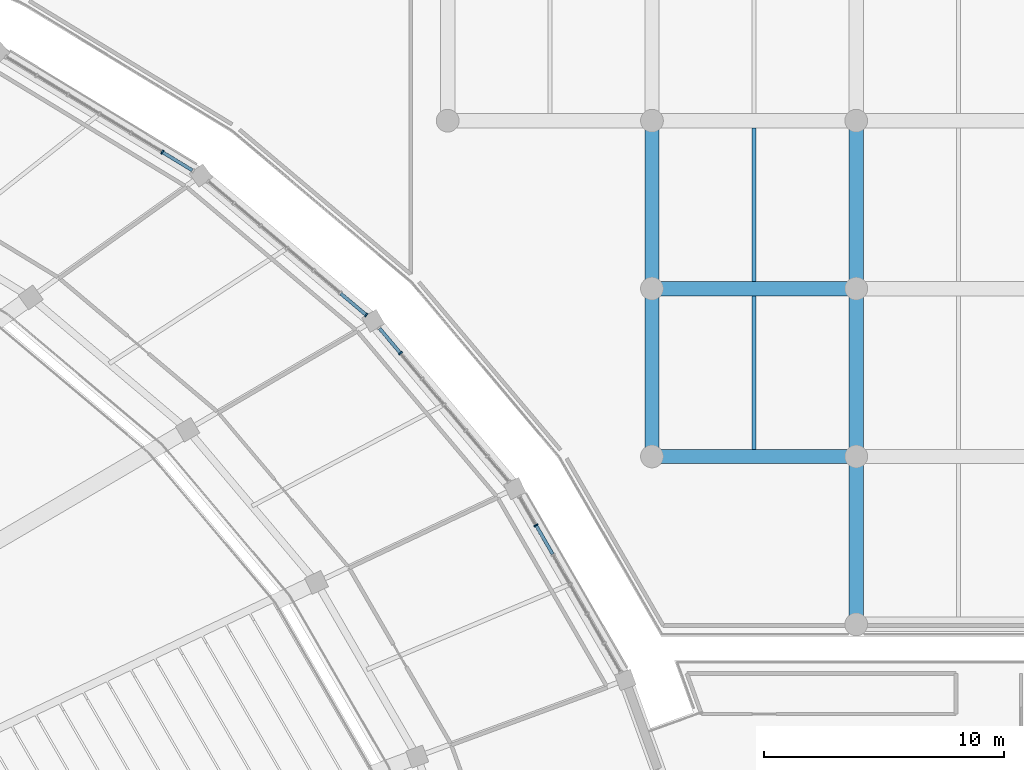
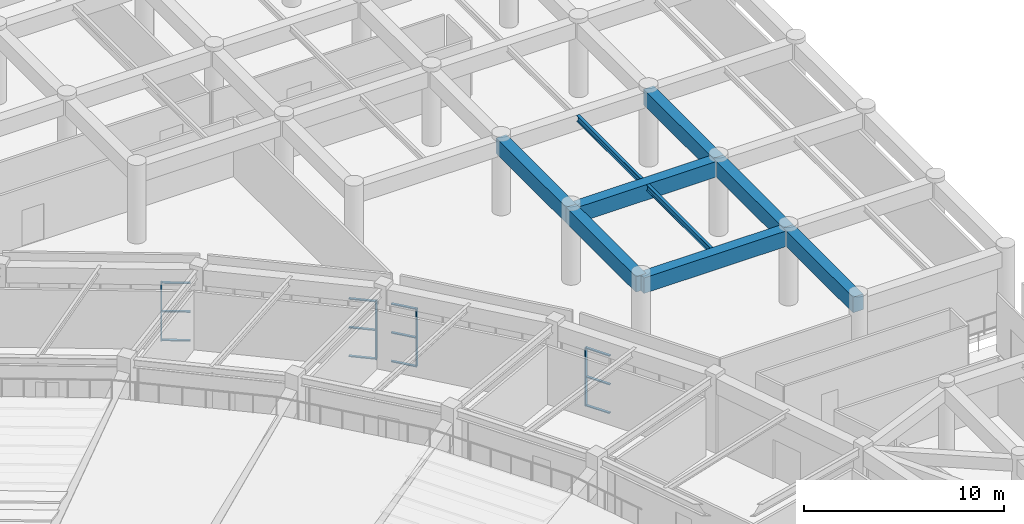
# One storey, part 72 of 137: 16 members, 9 beams, 4 elements without a shape of their own.
"""IFC4 building model written with IfcOpenShell, lengths in metres."""

from ifc_helpers import new_model, si_unit, direction, frame, origin, origin_2d, place, context, subcontext, project, spatial, rectangle, i_section, extrude, material, layer, layer_set, material_profile, profile_set, type_object, element, aggregate, save


model = new_model("IFC4")

# Units and contexts
model_context = context("Model", 3, precision=1e-05, world=origin(), true_north=direction((0.0, 1.0)))
body_context = subcontext(model_context, "Body", "Model", "MODEL_VIEW")
ifc_project = project(units=[si_unit("LENGTHUNIT", "METRE"), si_unit("AREAUNIT", "SQUARE_METRE"), si_unit("VOLUMEUNIT", "CUBIC_METRE"), si_unit("PLANEANGLEUNIT", "RADIAN"), si_unit("MASSUNIT", "GRAM", prefix="KILO")], contexts=[model_context])

# Site, building, storey
site_placement = place(None, origin())
site = spatial("IfcSite", under=ifc_project, at=site_placement, CompositionType="ELEMENT")
building_placement = place(site_placement, origin())
building = spatial("IfcBuilding", under=site, at=building_placement, Name="Mphavela Belvedere Stadium", CompositionType="ELEMENT")
storey_placement = place(building_placement, frame((0.0, 0.0, 19.199951171875)))
storey = spatial("IfcBuildingStorey", under=building, at=storey_placement, Name="L04", CompositionType="ELEMENT", Elevation=19.199951171875)

# Beams
ifc_material_1 = material(Name="Concrete C40/50", Category="concrete")
ifc_material_profile_1 = material_profile(ifc_material_1, rectangle(XDim=0.60009765625, YDim=0.949951171875, at=origin_2d()), Name="RC 600x950")
ifc_profile_set_1 = profile_set([ifc_material_profile_1], Name="Concrete C40/50")
beam_type_1 = type_object("IfcBeamType", Name="BM-ENTABLATURE-950", PredefinedType="SPANDREL", material=ifc_profile_set_1)
beam_1_placement = place(storey_placement, frame((212.962890625, 132.0, 4.06494140625), z_axis=(1.0, 0.0, 0.0), x_axis=(0.0, 1.0, 0.0)))
element("IfcBeam", 1, at=beam_1_placement, inside=storey, type_object=beam_type_1, Name="North Mast and Ceremonial End Forecourt entablature beam X L04 26-2", PredefinedType="SPANDREL", context=body_context, shape_type="SweptSolid", body=[
    extrude(rectangle(XDim=0.60009765625, YDim=0.949951171875, at=origin_2d()), origin(), (0.0, 0.0, 1.0), 8.51806640625),
])
beam_2_placement = place(storey_placement, frame((212.962890625, 132.0, 4.06494140625), z_axis=(0.0, 1.0, 0.0), x_axis=(-1.0, 0.0, 0.0)))
element("IfcBeam", 2, at=beam_2_placement, inside=storey, type_object=beam_type_1, Name="North Mast and Ceremonial End Forecourt entablature beam Y L04 26-2", PredefinedType="SPANDREL", context=body_context, shape_type="SweptSolid", body=[
    extrude(rectangle(XDim=0.60009765625, YDim=0.949951171875, at=origin_2d()), origin(), (0.0, 0.0, 1.0), 7.0),
])
beam_3_placement = place(storey_placement, frame((212.962890625, 139.0, 4.06494140625), z_axis=(1.0, 0.0, 0.0), x_axis=(0.0, 1.0, 0.0)))
element("IfcBeam", 3, at=beam_3_placement, inside=storey, type_object=beam_type_1, Name="North Mast and Ceremonial End Forecourt entablature beam X L04 26-3", PredefinedType="SPANDREL", context=body_context, shape_type="SweptSolid", body=[
    extrude(rectangle(XDim=0.60009765625, YDim=0.949951171875, at=origin_2d()), origin(), (0.0, 0.0, 1.0), 8.51806640625),
])
for number, where, z_axis, x_axis, name in (
    (4, (212.962890625, 139.0, 4.06494140625), (0.0, 1.0, 0.0), (-1.0, 0.0, 0.0), "North Mast and Ceremonial End Forecourt entablature beam Y L04 26-3"),
    (5, (221.48095703125, 125.0, 4.06494140625), (0.0, 1.0, 0.0), (-1.0, 0.0, 0.0), "North Mast and Ceremonial End Forecourt entablature beam Y L04 27-1"),
    (6, (221.48095703125, 132.0, 4.06494140625), (0.0, 1.0, 0.0), (-1.0, 0.0, 0.0), "North Mast and Ceremonial End Forecourt entablature beam Y L04 27-2"),
    (7, (221.48095703125, 139.0, 4.06494140625), (0.0, 1.0, 0.0), (-1.0, 0.0, 0.0), "North Mast and Ceremonial End Forecourt entablature beam Y L04 27-3"),
):
    element("IfcBeam", number, at=place(storey_placement, frame(where, z_axis=z_axis, x_axis=x_axis)), inside=storey, type_object=beam_type_1, Name=name, PredefinedType="SPANDREL", context=body_context, shape_type="SweptSolid", body=[
        extrude(rectangle(XDim=0.60009765625, YDim=0.949951171875, at=origin_2d()), origin(), (0.0, 0.0, 1.0), 7.0),
    ])
ifc_material_2 = material(Name="Steel S355", Category="steel")
ifc_material_profile_2 = material_profile(ifc_material_2, i_section(OverallWidth=0.169921875, OverallDepth=0.360107421875, WebThickness=0.008056640625, FlangeThickness=0.0126953125, at=origin_2d()), Name="IPE 360")
ifc_profile_set_2 = profile_set([ifc_material_profile_2], Name="Steel S355")
beam_type_2 = type_object("IfcBeamType", Name="BM-JOIST-IPE360", PredefinedType="JOIST", material=ifc_profile_set_2)
for number, where, z_axis, x_axis, name in (
    (8, (217.221923828125, 132.300048828125, 4.360107421875), (0.0, 1.0, 0.0), (-1.0, 0.0, 0.0), "North Mast and Ceremonial End Forecourt secondary joist L04 26-2"),
    (9, (217.221923828125, 139.300048828125, 4.360107421875), (0.0, 1.0, 0.0), (-1.0, 0.0, 0.0), "North Mast and Ceremonial End Forecourt secondary joist L04 26-3"),
):
    element("IfcBeam", number, at=place(storey_placement, frame(where, z_axis=z_axis, x_axis=x_axis)), inside=storey, type_object=beam_type_2, Name=name, PredefinedType="JOIST", context=body_context, shape_type="SweptSolid", body=[
        extrude(i_section(OverallWidth=0.169921875, OverallDepth=0.360107421875, WebThickness=0.008056640625, FlangeThickness=0.0126953125, at=origin_2d()), origin(), (0.0, 0.0, 1.0), 6.39990234375),
    ])

# Curtain wall, member
ifc_material_3 = material(Name="Anodised bronze unitised curtain wall framing")
ifc_layer_1 = layer(ifc_material_3, 0.179931640625)
ifc_layer_set_1 = layer_set([ifc_layer_1], Name="Anodised bronze unitised curtain wall framing")
curtain_wall_type_1 = type_object("IfcCurtainWallType", Name="CW-UNIT-01", PredefinedType="USERDEFINED", material=ifc_layer_set_1)
curtain_wall_1_placement = place(storey_placement, origin())
curtain_wall_1 = element("IfcCurtainWall", 10, at=curtain_wall_1_placement, inside=storey, type_object=curtain_wall_type_1, Name="Belvedere colonnade curtain wall L04-04", ObjectType="UNITISED CURTAIN WALL", PredefinedType="USERDEFINED")
ifc_material_4 = material(Name="Anodised bronze extruded aluminium", Category="aluminium")
ifc_material_profile_3 = material_profile(ifc_material_4, rectangle(XDim=0.179931640625, YDim=0.06494140625, at=origin_2d()), Name="CW-MUL 180x65")
ifc_profile_set_3 = profile_set([ifc_material_profile_3], Name="Anodised bronze extruded aluminium")
member_type_1 = type_object("IfcMemberType", Name="CWM-180x65", PredefinedType="MULLION", material=ifc_profile_set_3)
member_1_placement = place(storey_placement, frame((208.127685546875, 129.130859375, 0.0), z_axis=(0.0, 0.0, 1.0), x_axis=(-0.865704159606, -0.500555998906, 0.0)))
member_1 = element("IfcMember", 11, at=member_1_placement, type_object=member_type_1, Name="CW-01 mullion 6", PredefinedType="MULLION", context=body_context, shape_type="SweptSolid", body=[
    extrude(rectangle(XDim=0.179931640625, YDim=0.06494140625, at=origin_2d()), origin(), (0.0, 0.0, 1.0), 3.570068359375),
])

ifc_material_5 = material(Name="Anodised bronze unitised curtain wall framing")
ifc_layer_2 = layer(ifc_material_5, 0.18505859375)
ifc_layer_set_2 = layer_set([ifc_layer_2], Name="Anodised bronze unitised curtain wall framing")
curtain_wall_type_2 = type_object("IfcCurtainWallType", Name="CW-UNIT-02", PredefinedType="USERDEFINED", material=ifc_layer_set_2)
curtain_wall_2_placement = place(storey_placement, origin())
curtain_wall_2 = element("IfcCurtainWall", 12, at=curtain_wall_2_placement, inside=storey, type_object=curtain_wall_type_2, Name="Belvedere colonnade curtain wall L04-05", ObjectType="UNITISED CURTAIN WALL", PredefinedType="USERDEFINED")
member_2_placement = place(storey_placement, frame((202.471923828125, 136.310791015625, 0.0), z_axis=(0.0, 0.0, 1.0), x_axis=(-0.764034579723, -0.645175294774, 0.0)))
member_2 = element("IfcMember", 13, at=member_2_placement, type_object=member_type_1, Name="CW-02 mullion 6", PredefinedType="MULLION", context=body_context, shape_type="SweptSolid", body=[
    extrude(rectangle(XDim=0.179931640625, YDim=0.06494140625, at=origin_2d()), origin(), (0.0, 0.0, 1.0), 3.570068359375),
])

ifc_material_6 = material(Name="Anodised bronze unitised curtain wall framing")
ifc_layer_3 = layer(ifc_material_6, 0.18994140625)
ifc_layer_set_3 = layer_set([ifc_layer_3], Name="Anodised bronze unitised curtain wall framing")
curtain_wall_type_3 = type_object("IfcCurtainWallType", Name="CW-UNIT-03", PredefinedType="USERDEFINED", material=ifc_layer_set_3)
curtain_wall_3_placement = place(storey_placement, origin())
curtain_wall_3 = element("IfcCurtainWall", 14, at=curtain_wall_3_placement, inside=storey, type_object=curtain_wall_type_3, Name="Belvedere colonnade curtain wall L04-06", ObjectType="UNITISED CURTAIN WALL", PredefinedType="USERDEFINED")
member_3_placement = place(storey_placement, frame((201.04736328125, 137.89892578125, 0.0), z_axis=(0.0, 0.0, 1.0), x_axis=(-0.644916038089, -0.764253429051, 0.0)))
member_3 = element("IfcMember", 15, at=member_3_placement, type_object=member_type_1, Name="CW-03 mullion 1", PredefinedType="MULLION", context=body_context, shape_type="SweptSolid", body=[
    extrude(rectangle(XDim=0.179931640625, YDim=0.06494140625, at=origin_2d()), origin(), (0.0, 0.0, 1.0), 3.570068359375),
])

ifc_material_7 = material(Name="Anodised bronze unitised curtain wall framing")
ifc_layer_4 = layer(ifc_material_7, 0.195068359375)
ifc_layer_set_4 = layer_set([ifc_layer_4], Name="Anodised bronze unitised curtain wall framing")
curtain_wall_type_4 = type_object("IfcCurtainWallType", Name="CW-UNIT-04", PredefinedType="USERDEFINED", material=ifc_layer_set_4)
curtain_wall_4_placement = place(storey_placement, origin())
curtain_wall_4 = element("IfcCurtainWall", 16, at=curtain_wall_4_placement, inside=storey, type_object=curtain_wall_type_4, Name="Belvedere colonnade curtain wall L04-07", ObjectType="UNITISED CURTAIN WALL", PredefinedType="USERDEFINED")
member_4_placement = place(storey_placement, frame((192.547607421875, 144.69287109375, 0.0), z_axis=(0.0, 0.0, 1.0), x_axis=(-0.519735341101, -0.854327323226, 0.0)))
member_4 = element("IfcMember", 17, at=member_4_placement, type_object=member_type_1, Name="CW-04 mullion 2", PredefinedType="MULLION", context=body_context, shape_type="SweptSolid", body=[
    extrude(rectangle(XDim=0.179931640625, YDim=0.06494140625, at=origin_2d()), origin(), (0.0, 0.0, 1.0), 3.570068359375),
])

# Member
ifc_material_8 = material(Name="Anodised bronze extruded aluminium", Category="aluminium")
ifc_material_profile_4 = material_profile(ifc_material_8, rectangle(XDim=0.139892578125, YDim=0.06005859375, at=origin_2d()), Name="CW-TRN 140x60")
ifc_profile_set_4 = profile_set([ifc_material_profile_4], Name="Anodised bronze extruded aluminium")
member_type_2 = type_object("IfcMemberType", Name="CWT-140x60", PredefinedType="USERDEFINED", material=ifc_profile_set_4)
member_5_placement = place(storey_placement, frame((208.822265625, 127.929443359375, 0.030029296875), z_axis=(-0.500652736362, 0.865648218143, 0.0), x_axis=(-0.865648218143, -0.500652736362, 0.0)))
member_5 = element("IfcMember", 18, at=member_5_placement, type_object=member_type_2, Name="CW-01 transom 5.1", ObjectType="TRANSOM", PredefinedType="USERDEFINED", context=body_context, shape_type="SweptSolid", body=[
    extrude(rectangle(XDim=0.139892578125, YDim=0.06005859375, at=origin_2d()), origin(), (0.0, 0.0, 1.0), 1.355224609375),
])

member_6_placement = place(storey_placement, frame((208.822265625, 127.929443359375, 1.78515625), z_axis=(-0.500652736362, 0.865648218143, 0.0), x_axis=(-0.865648218143, -0.500652736362, 0.0)))
member_6 = element("IfcMember", 19, at=member_6_placement, type_object=member_type_2, Name="CW-01 transom 5.2", ObjectType="TRANSOM", PredefinedType="USERDEFINED", context=body_context, shape_type="SweptSolid", body=[
    extrude(rectangle(XDim=0.139892578125, YDim=0.06005859375, at=origin_2d()), origin(), (0.0, 0.0, 1.0), 1.355224609375),
])

member_7_placement = place(storey_placement, frame((208.822265625, 127.929443359375, 3.5400390625), z_axis=(-0.500652736362, 0.865648218143, 0.0), x_axis=(-0.865648218143, -0.500652736362, 0.0)))
member_7 = element("IfcMember", 20, at=member_7_placement, type_object=member_type_2, Name="CW-01 transom 5.3", ObjectType="TRANSOM", PredefinedType="USERDEFINED", context=body_context, shape_type="SweptSolid", body=[
    extrude(rectangle(XDim=0.139892578125, YDim=0.06005859375, at=origin_2d()), origin(), (0.0, 0.0, 1.0), 1.355224609375),
])

aggregate(curtain_wall_1, [member_1, member_5, member_6, member_7])

member_8_placement = place(storey_placement, frame((202.450927734375, 136.335693359375, 0.030029296875), z_axis=(-0.645132526384, 0.764070692673, 0.0), x_axis=(-0.764070692673, -0.645132526384, 0.0)))
member_8 = element("IfcMember", 21, at=member_8_placement, type_object=member_type_2, Name="CW-02 transom 6.1", ObjectType="TRANSOM", PredefinedType="USERDEFINED", context=body_context, shape_type="SweptSolid", body=[
    extrude(rectangle(XDim=0.139892578125, YDim=0.06005859375, at=origin_2d()), origin(), (0.0, 0.0, 1.0), 1.311767578125),
])

member_9_placement = place(storey_placement, frame((202.450927734375, 136.335693359375, 1.78515625), z_axis=(-0.645132526384, 0.764070692673, 0.0), x_axis=(-0.764070692673, -0.645132526384, 0.0)))
member_9 = element("IfcMember", 22, at=member_9_placement, type_object=member_type_2, Name="CW-02 transom 6.2", ObjectType="TRANSOM", PredefinedType="USERDEFINED", context=body_context, shape_type="SweptSolid", body=[
    extrude(rectangle(XDim=0.139892578125, YDim=0.06005859375, at=origin_2d()), origin(), (0.0, 0.0, 1.0), 1.311767578125),
])

member_10_placement = place(storey_placement, frame((202.450927734375, 136.335693359375, 3.5400390625), z_axis=(-0.645132526384, 0.764070692673, 0.0), x_axis=(-0.764070692673, -0.645132526384, 0.0)))
member_10 = element("IfcMember", 23, at=member_10_placement, type_object=member_type_2, Name="CW-02 transom 6.3", ObjectType="TRANSOM", PredefinedType="USERDEFINED", context=body_context, shape_type="SweptSolid", body=[
    extrude(rectangle(XDim=0.139892578125, YDim=0.06005859375, at=origin_2d()), origin(), (0.0, 0.0, 1.0), 1.311767578125),
])

aggregate(curtain_wall_2, [member_2, member_8, member_9, member_10])

member_11_placement = place(storey_placement, frame((201.022705078125, 137.919921875, 0.030029296875), z_axis=(-0.764316500448, 0.644841288336, 0.0), x_axis=(-0.644841288336, -0.764316500448, 0.0)))
member_11 = element("IfcMember", 24, at=member_11_placement, type_object=member_type_2, Name="CW-03 transom 1.1", ObjectType="TRANSOM", PredefinedType="USERDEFINED", context=body_context, shape_type="SweptSolid", body=[
    extrude(rectangle(XDim=0.139892578125, YDim=0.06005859375, at=origin_2d()), origin(), (0.0, 0.0, 1.0), 1.352783203125),
])

member_12_placement = place(storey_placement, frame((201.022705078125, 137.919921875, 1.78515625), z_axis=(-0.764316500448, 0.644841288336, 0.0), x_axis=(-0.644841288336, -0.764316500448, 0.0)))
member_12 = element("IfcMember", 25, at=member_12_placement, type_object=member_type_2, Name="CW-03 transom 1.2", ObjectType="TRANSOM", PredefinedType="USERDEFINED", context=body_context, shape_type="SweptSolid", body=[
    extrude(rectangle(XDim=0.139892578125, YDim=0.06005859375, at=origin_2d()), origin(), (0.0, 0.0, 1.0), 1.352783203125),
])

member_13_placement = place(storey_placement, frame((201.022705078125, 137.919921875, 3.5400390625), z_axis=(-0.764316500448, 0.644841288336, 0.0), x_axis=(-0.644841288336, -0.764316500448, 0.0)))
member_13 = element("IfcMember", 26, at=member_13_placement, type_object=member_type_2, Name="CW-03 transom 1.3", ObjectType="TRANSOM", PredefinedType="USERDEFINED", context=body_context, shape_type="SweptSolid", body=[
    extrude(rectangle(XDim=0.139892578125, YDim=0.06005859375, at=origin_2d()), origin(), (0.0, 0.0, 1.0), 1.352783203125),
])

aggregate(curtain_wall_3, [member_3, member_11, member_12, member_13])

member_14_placement = place(storey_placement, frame((193.802734375, 143.92919921875, 0.030029296875), z_axis=(-0.854313371297, 0.519758274224, 0.0), x_axis=(-0.519758274224, -0.854313371297, 0.0)))
member_14 = element("IfcMember", 27, at=member_14_placement, type_object=member_type_2, Name="CW-04 transom 1.1", ObjectType="TRANSOM", PredefinedType="USERDEFINED", context=body_context, shape_type="SweptSolid", body=[
    extrude(rectangle(XDim=0.139892578125, YDim=0.06005859375, at=origin_2d()), origin(), (0.0, 0.0, 1.0), 1.436767578125),
])

member_15_placement = place(storey_placement, frame((193.802734375, 143.92919921875, 1.78515625), z_axis=(-0.854313371297, 0.519758274224, 0.0), x_axis=(-0.519758274224, -0.854313371297, 0.0)))
member_15 = element("IfcMember", 28, at=member_15_placement, type_object=member_type_2, Name="CW-04 transom 1.2", ObjectType="TRANSOM", PredefinedType="USERDEFINED", context=body_context, shape_type="SweptSolid", body=[
    extrude(rectangle(XDim=0.139892578125, YDim=0.06005859375, at=origin_2d()), origin(), (0.0, 0.0, 1.0), 1.436767578125),
])

member_16_placement = place(storey_placement, frame((193.802734375, 143.92919921875, 3.5400390625), z_axis=(-0.854313371297, 0.519758274224, 0.0), x_axis=(-0.519758274224, -0.854313371297, 0.0)))
member_16 = element("IfcMember", 29, at=member_16_placement, type_object=member_type_2, Name="CW-04 transom 1.3", ObjectType="TRANSOM", PredefinedType="USERDEFINED", context=body_context, shape_type="SweptSolid", body=[
    extrude(rectangle(XDim=0.139892578125, YDim=0.06005859375, at=origin_2d()), origin(), (0.0, 0.0, 1.0), 1.436767578125),
])

aggregate(curtain_wall_4, [member_4, member_14, member_15, member_16])

save(model, "model.ifc")
